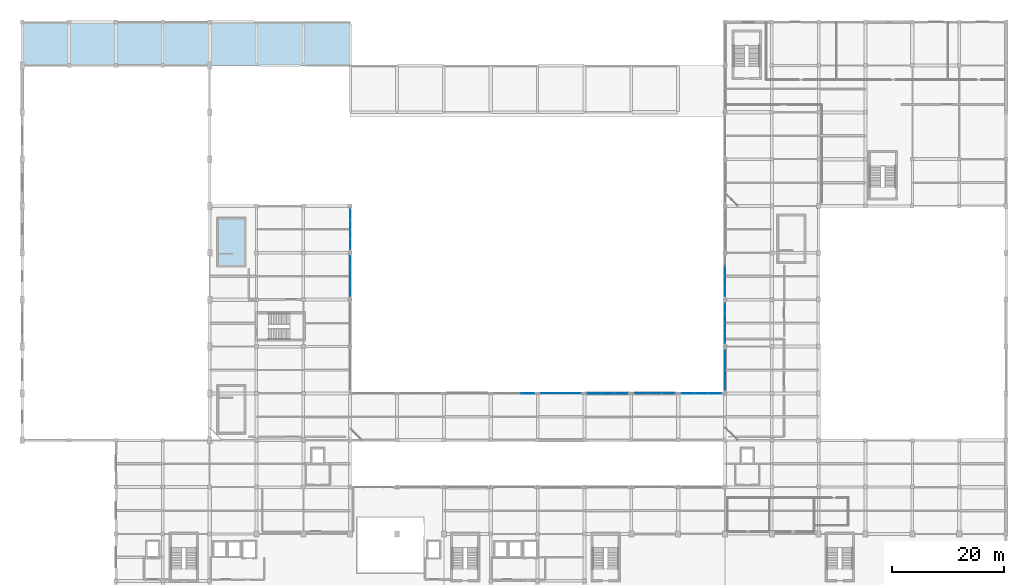
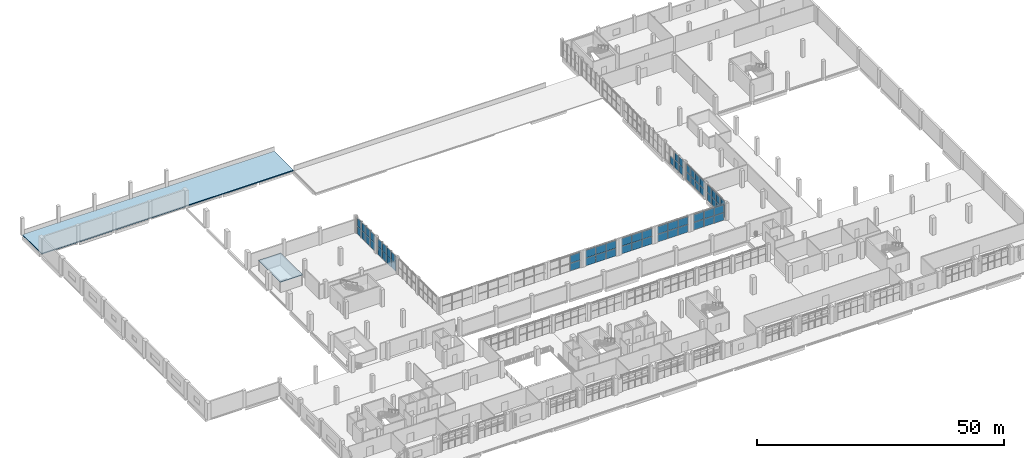
# One storey, part 43 of 59: 63 plates, 2 slabs, 10 elements without a shape of their own.
"""IFC4 building model written with IfcOpenShell, lengths in metres."""

from ifc_helpers import new_model, si_unit, derived_unit, direction, frame, origin, origin_2d, place, context, subcontext, project, spatial, polyline, rectangle, outline, extrude, material, layer, layer_set, type_object, element, aggregate, save


model = new_model("IFC4")

# Units and contexts
model_context = context("Model", 3, precision=1e-05, world=origin(), true_north=direction((0.0, 1.0)))
body_context = subcontext(model_context, "Body", "Model", "MODEL_VIEW")
ifc_project = project(units=[si_unit("LENGTHUNIT", "METRE"), si_unit("AREAUNIT", "SQUARE_METRE"), si_unit("VOLUMEUNIT", "CUBIC_METRE"), si_unit("PLANEANGLEUNIT", "RADIAN"), si_unit("MASSUNIT", "GRAM", prefix="KILO"), derived_unit("THERMALTRANSMITTANCEUNIT", [(si_unit("POWERUNIT", "WATT"), 1), (si_unit("LENGTHUNIT", "METRE"), -2), (si_unit("THERMODYNAMICTEMPERATUREUNIT", "KELVIN"), -1)])], contexts=[model_context])

# Site, building, storey
site_placement = place(None, origin())
site = spatial("IfcSite", under=ifc_project, at=site_placement, CompositionType="ELEMENT")
building_placement = place(site_placement, origin())
building = spatial("IfcBuilding", under=site, at=building_placement, Name="Barrovel Congress Hotel", CompositionType="ELEMENT")
storey_placement = place(building_placement, frame((0.0, 0.0, 9.89990234375)))
storey = spatial("IfcBuildingStorey", under=building, at=storey_placement, Name="L02", CompositionType="ELEMENT", Elevation=9.89990234375)

# Curtain wall, plates
ifc_material_1 = material(Name="Anodised Aluminium Alloy 6063-T6", Category="aluminium")
curtain_wall_type = type_object("IfcCurtainWallType", Name="CW-ST-7200x3600", PredefinedType="USERDEFINED", material=ifc_material_1)
curtain_wall_1_placement = place(storey_placement, origin())
curtain_wall_1 = element("IfcCurtainWall", 1, at=curtain_wall_1_placement, inside=storey, type_object=curtain_wall_type, Name="CW:L02:CW:63.0", ObjectType="STICK CURTAIN WALL", PredefinedType="USERDEFINED")
ifc_material_2 = material(Name="Double Low-E Insulated Glazing", Category="glass")
ifc_layer_1 = layer(ifc_material_2, 0.028076171875)
ifc_layer_set_1 = layer_set([ifc_layer_1], Name="Double Low-E Insulated Glazing")
plate_type_1 = type_object("IfcPlateType", Name="CWP-28", PredefinedType="CURTAIN_PANEL", material=ifc_layer_set_1)
plate_1_placement = place(storey_placement, frame((58.800048828125, 64.5, 0.030029296875), z_axis=(0.0, 0.0, 1.0), x_axis=(0.0, 1.0, 0.0)))
plate_1 = element("IfcPlate", 2, at=plate_1_placement, type_object=plate_type_1, Name="CW:L02:CW:63.0:P0-0", PredefinedType="CURTAIN_PANEL", context=body_context, shape_type="SweptSolid", body=[
    extrude(rectangle(XDim=1.739990234375, YDim=0.028076171875, at=origin_2d()), origin(), (0.0, 0.0, 1.0), 1.89990234375),
])
plate_2_placement = place(storey_placement, frame((58.800048828125, 64.5, 1.990234375), z_axis=(0.0, 0.0, 1.0), x_axis=(0.0, 1.0, 0.0)))
plate_2 = element("IfcPlate", 3, at=plate_2_placement, type_object=plate_type_1, Name="CW:L02:CW:63.0:P0-1", PredefinedType="CURTAIN_PANEL", context=body_context, shape_type="SweptSolid", body=[
    extrude(rectangle(XDim=1.739990234375, YDim=0.028076171875, at=origin_2d()), origin(), (0.0, 0.0, 1.0), 1.89990234375),
])
plate_3_placement = place(storey_placement, frame((58.800048828125, 66.300048828125, 0.030029296875), z_axis=(0.0, 0.0, 1.0), x_axis=(0.0, 1.0, 0.0)))
plate_3 = element("IfcPlate", 4, at=plate_3_placement, type_object=plate_type_1, Name="CW:L02:CW:63.0:P1-0", PredefinedType="CURTAIN_PANEL", context=body_context, shape_type="SweptSolid", body=[
    extrude(rectangle(XDim=1.739990234375, YDim=0.028076171875, at=origin_2d()), origin(), (0.0, 0.0, 1.0), 1.89990234375),
])
plate_4_placement = place(storey_placement, frame((58.800048828125, 66.300048828125, 1.990234375), z_axis=(0.0, 0.0, 1.0), x_axis=(0.0, 1.0, 0.0)))
plate_4 = element("IfcPlate", 5, at=plate_4_placement, type_object=plate_type_1, Name="CW:L02:CW:63.0:P1-1", PredefinedType="CURTAIN_PANEL", context=body_context, shape_type="SweptSolid", body=[
    extrude(rectangle(XDim=1.739990234375, YDim=0.028076171875, at=origin_2d()), origin(), (0.0, 0.0, 1.0), 1.89990234375),
])
plate_5_placement = place(storey_placement, frame((58.800048828125, 68.10009765625, 0.030029296875), z_axis=(0.0, 0.0, 1.0), x_axis=(0.0, 1.0, 0.0)))
plate_5 = element("IfcPlate", 6, at=plate_5_placement, type_object=plate_type_1, Name="CW:L02:CW:63.0:P2-0", PredefinedType="CURTAIN_PANEL", context=body_context, shape_type="SweptSolid", body=[
    extrude(rectangle(XDim=1.739990234375, YDim=0.028076171875, at=origin_2d()), origin(), (0.0, 0.0, 1.0), 1.89990234375),
])
plate_6_placement = place(storey_placement, frame((58.800048828125, 68.10009765625, 1.990234375), z_axis=(0.0, 0.0, 1.0), x_axis=(0.0, 1.0, 0.0)))
plate_6 = element("IfcPlate", 7, at=plate_6_placement, type_object=plate_type_1, Name="CW:L02:CW:63.0:P2-1", PredefinedType="CURTAIN_PANEL", context=body_context, shape_type="SweptSolid", body=[
    extrude(rectangle(XDim=1.739990234375, YDim=0.028076171875, at=origin_2d()), origin(), (0.0, 0.0, 1.0), 1.89990234375),
])
plate_7_placement = place(storey_placement, frame((58.800048828125, 69.89990234375, 0.030029296875), z_axis=(0.0, 0.0, 1.0), x_axis=(0.0, 1.0, 0.0)))
plate_7 = element("IfcPlate", 8, at=plate_7_placement, type_object=plate_type_1, Name="CW:L02:CW:63.0:P3-0", PredefinedType="CURTAIN_PANEL", context=body_context, shape_type="SweptSolid", body=[
    extrude(rectangle(XDim=1.739990234375, YDim=0.028076171875, at=origin_2d()), origin(), (0.0, 0.0, 1.0), 1.89990234375),
])
plate_8_placement = place(storey_placement, frame((58.800048828125, 69.89990234375, 1.990234375), z_axis=(0.0, 0.0, 1.0), x_axis=(0.0, 1.0, 0.0)))
plate_8 = element("IfcPlate", 9, at=plate_8_placement, type_object=plate_type_1, Name="CW:L02:CW:63.0:P3-1", PredefinedType="CURTAIN_PANEL", context=body_context, shape_type="SweptSolid", body=[
    extrude(rectangle(XDim=1.739990234375, YDim=0.028076171875, at=origin_2d()), origin(), (0.0, 0.0, 1.0), 1.89990234375),
])
aggregate(curtain_wall_1, [plate_1, plate_2, plate_3, plate_4, plate_5, plate_6, plate_7, plate_8])

curtain_wall_2_placement = place(storey_placement, origin())
curtain_wall_2 = element("IfcCurtainWall", 10, at=curtain_wall_2_placement, inside=storey, type_object=curtain_wall_type, Name="CW:L02:CE:46.2", ObjectType="STICK CURTAIN WALL", PredefinedType="USERDEFINED")
plate_9_placement = place(storey_placement, frame((126.0, 53.10009765625, 0.030029296875), z_axis=(0.0, 0.0, 1.0), x_axis=(0.0, -1.0, 0.0)))
plate_9 = element("IfcPlate", 11, at=plate_9_placement, type_object=plate_type_1, Name="CW:L02:CE:46.2:P0-0", PredefinedType="CURTAIN_PANEL", context=body_context, shape_type="SweptSolid", body=[
    extrude(rectangle(XDim=1.739990234375, YDim=0.028076171875, at=origin_2d()), origin(), (0.0, 0.0, 1.0), 1.89990234375),
])
plate_10_placement = place(storey_placement, frame((126.0, 53.10009765625, 1.990234375), z_axis=(0.0, 0.0, 1.0), x_axis=(0.0, -1.0, 0.0)))
plate_10 = element("IfcPlate", 12, at=plate_10_placement, type_object=plate_type_1, Name="CW:L02:CE:46.2:P0-1", PredefinedType="CURTAIN_PANEL", context=body_context, shape_type="SweptSolid", body=[
    extrude(rectangle(XDim=1.739990234375, YDim=0.028076171875, at=origin_2d()), origin(), (0.0, 0.0, 1.0), 1.89990234375),
])
plate_11_placement = place(storey_placement, frame((126.0, 51.300048828125, 0.030029296875), z_axis=(0.0, 0.0, 1.0), x_axis=(0.0, -1.0, 0.0)))
plate_11 = element("IfcPlate", 13, at=plate_11_placement, type_object=plate_type_1, Name="CW:L02:CE:46.2:P1-0", PredefinedType="CURTAIN_PANEL", context=body_context, shape_type="SweptSolid", body=[
    extrude(rectangle(XDim=1.739990234375, YDim=0.028076171875, at=origin_2d()), origin(), (0.0, 0.0, 1.0), 1.89990234375),
])
plate_12_placement = place(storey_placement, frame((126.0, 51.300048828125, 1.990234375), z_axis=(0.0, 0.0, 1.0), x_axis=(0.0, -1.0, 0.0)))
plate_12 = element("IfcPlate", 14, at=plate_12_placement, type_object=plate_type_1, Name="CW:L02:CE:46.2:P1-1", PredefinedType="CURTAIN_PANEL", context=body_context, shape_type="SweptSolid", body=[
    extrude(rectangle(XDim=1.739990234375, YDim=0.028076171875, at=origin_2d()), origin(), (0.0, 0.0, 1.0), 1.89990234375),
])
plate_13_placement = place(storey_placement, frame((126.0, 49.5, 0.030029296875), z_axis=(0.0, 0.0, 1.0), x_axis=(0.0, -1.0, 0.0)))
plate_13 = element("IfcPlate", 15, at=plate_13_placement, type_object=plate_type_1, Name="CW:L02:CE:46.2:P2-0", PredefinedType="CURTAIN_PANEL", context=body_context, shape_type="SweptSolid", body=[
    extrude(rectangle(XDim=1.739990234375, YDim=0.028076171875, at=origin_2d()), origin(), (0.0, 0.0, 1.0), 1.89990234375),
])
plate_14_placement = place(storey_placement, frame((126.0, 49.5, 1.990234375), z_axis=(0.0, 0.0, 1.0), x_axis=(0.0, -1.0, 0.0)))
plate_14 = element("IfcPlate", 16, at=plate_14_placement, type_object=plate_type_1, Name="CW:L02:CE:46.2:P2-1", PredefinedType="CURTAIN_PANEL", context=body_context, shape_type="SweptSolid", body=[
    extrude(rectangle(XDim=1.739990234375, YDim=0.028076171875, at=origin_2d()), origin(), (0.0, 0.0, 1.0), 1.89990234375),
])
plate_15_placement = place(storey_placement, frame((126.0, 47.699951171875, 0.030029296875), z_axis=(0.0, 0.0, 1.0), x_axis=(0.0, -1.0, 0.0)))
plate_15 = element("IfcPlate", 17, at=plate_15_placement, type_object=plate_type_1, Name="CW:L02:CE:46.2:P3-0", PredefinedType="CURTAIN_PANEL", context=body_context, shape_type="SweptSolid", body=[
    extrude(rectangle(XDim=1.739990234375, YDim=0.028076171875, at=origin_2d()), origin(), (0.0, 0.0, 1.0), 1.89990234375),
])
plate_16_placement = place(storey_placement, frame((126.0, 47.699951171875, 1.990234375), z_axis=(0.0, 0.0, 1.0), x_axis=(0.0, -1.0, 0.0)))
plate_16 = element("IfcPlate", 18, at=plate_16_placement, type_object=plate_type_1, Name="CW:L02:CE:46.2:P3-1", PredefinedType="CURTAIN_PANEL", context=body_context, shape_type="SweptSolid", body=[
    extrude(rectangle(XDim=1.739990234375, YDim=0.028076171875, at=origin_2d()), origin(), (0.0, 0.0, 1.0), 1.89990234375),
])
aggregate(curtain_wall_2, [plate_9, plate_10, plate_11, plate_12, plate_13, plate_14, plate_15, plate_16])

curtain_wall_3_placement = place(storey_placement, origin())
curtain_wall_3 = element("IfcCurtainWall", 19, at=curtain_wall_3_placement, inside=storey, type_object=curtain_wall_type, Name="CW:L02:CE:63.0", ObjectType="STICK CURTAIN WALL", PredefinedType="USERDEFINED")
plate_17_placement = place(storey_placement, frame((126.0, 68.10009765625, 0.030029296875), z_axis=(0.0, 0.0, 1.0), x_axis=(0.0, -1.0, 0.0)))
plate_17 = element("IfcPlate", 20, at=plate_17_placement, type_object=plate_type_1, Name="CW:L02:CE:63.0:P1-0", PredefinedType="CURTAIN_PANEL", context=body_context, shape_type="SweptSolid", body=[
    extrude(rectangle(XDim=1.739990234375, YDim=0.028076171875, at=origin_2d()), origin(), (0.0, 0.0, 1.0), 1.89990234375),
])
plate_18_placement = place(storey_placement, frame((126.0, 66.300048828125, 0.030029296875), z_axis=(0.0, 0.0, 1.0), x_axis=(0.0, -1.0, 0.0)))
plate_18 = element("IfcPlate", 21, at=plate_18_placement, type_object=plate_type_1, Name="CW:L02:CE:63.0:P2-0", PredefinedType="CURTAIN_PANEL", context=body_context, shape_type="SweptSolid", body=[
    extrude(rectangle(XDim=1.739990234375, YDim=0.028076171875, at=origin_2d()), origin(), (0.0, 0.0, 1.0), 1.89990234375),
])
plate_19_placement = place(storey_placement, frame((126.0, 66.300048828125, 1.990234375), z_axis=(0.0, 0.0, 1.0), x_axis=(0.0, -1.0, 0.0)))
plate_19 = element("IfcPlate", 22, at=plate_19_placement, type_object=plate_type_1, Name="CW:L02:CE:63.0:P2-1", PredefinedType="CURTAIN_PANEL", context=body_context, shape_type="SweptSolid", body=[
    extrude(rectangle(XDim=1.739990234375, YDim=0.028076171875, at=origin_2d()), origin(), (0.0, 0.0, 1.0), 1.89990234375),
])
plate_20_placement = place(storey_placement, frame((126.0, 64.5, 0.030029296875), z_axis=(0.0, 0.0, 1.0), x_axis=(0.0, -1.0, 0.0)))
plate_20 = element("IfcPlate", 23, at=plate_20_placement, type_object=plate_type_1, Name="CW:L02:CE:63.0:P3-0", PredefinedType="CURTAIN_PANEL", context=body_context, shape_type="SweptSolid", body=[
    extrude(rectangle(XDim=1.739990234375, YDim=0.028076171875, at=origin_2d()), origin(), (0.0, 0.0, 1.0), 1.89990234375),
])
plate_21_placement = place(storey_placement, frame((126.0, 64.5, 1.990234375), z_axis=(0.0, 0.0, 1.0), x_axis=(0.0, -1.0, 0.0)))
plate_21 = element("IfcPlate", 24, at=plate_21_placement, type_object=plate_type_1, Name="CW:L02:CE:63.0:P3-1", PredefinedType="CURTAIN_PANEL", context=body_context, shape_type="SweptSolid", body=[
    extrude(rectangle(XDim=1.739990234375, YDim=0.028076171875, at=origin_2d()), origin(), (0.0, 0.0, 1.0), 1.89990234375),
])
aggregate(curtain_wall_3, [plate_17, plate_18, plate_19, plate_20, plate_21])

curtain_wall_4_placement = place(storey_placement, origin())
curtain_wall_4 = element("IfcCurtainWall", 25, at=curtain_wall_4_placement, inside=storey, type_object=curtain_wall_type, Name="CW:L02:CL:11", ObjectType="STICK CURTAIN WALL", PredefinedType="USERDEFINED")
plate_22_placement = place(storey_placement, frame((99.0, 46.199951171875, 0.030029296875), z_axis=(0.0, 0.0, 1.0), x_axis=(-1.0, 0.0, 0.0)))
plate_22 = element("IfcPlate", 26, at=plate_22_placement, type_object=plate_type_1, Name="CW:L02:CL:11:P0-0", PredefinedType="CURTAIN_PANEL", context=body_context, shape_type="SweptSolid", body=[
    extrude(rectangle(XDim=2.340087890625, YDim=0.028076171875, at=origin_2d()), origin(), (0.0, 0.0, 1.0), 1.89990234375),
])
plate_23_placement = place(storey_placement, frame((99.0, 46.199951171875, 1.990234375), z_axis=(0.0, 0.0, 1.0), x_axis=(-1.0, 0.0, 0.0)))
plate_23 = element("IfcPlate", 27, at=plate_23_placement, type_object=plate_type_1, Name="CW:L02:CL:11:P0-1", PredefinedType="CURTAIN_PANEL", context=body_context, shape_type="SweptSolid", body=[
    extrude(rectangle(XDim=2.340087890625, YDim=0.028076171875, at=origin_2d()), origin(), (0.0, 0.0, 1.0), 1.89990234375),
])
plate_24_placement = place(storey_placement, frame((96.60009765625, 46.199951171875, 0.030029296875), z_axis=(0.0, 0.0, 1.0), x_axis=(-1.0, 0.0, 0.0)))
plate_24 = element("IfcPlate", 28, at=plate_24_placement, type_object=plate_type_1, Name="CW:L02:CL:11:P1-0", PredefinedType="CURTAIN_PANEL", context=body_context, shape_type="SweptSolid", body=[
    extrude(rectangle(XDim=2.340087890625, YDim=0.028076171875, at=origin_2d()), origin(), (0.0, 0.0, 1.0), 1.89990234375),
])
plate_25_placement = place(storey_placement, frame((96.60009765625, 46.199951171875, 1.990234375), z_axis=(0.0, 0.0, 1.0), x_axis=(-1.0, 0.0, 0.0)))
plate_25 = element("IfcPlate", 29, at=plate_25_placement, type_object=plate_type_1, Name="CW:L02:CL:11:P1-1", PredefinedType="CURTAIN_PANEL", context=body_context, shape_type="SweptSolid", body=[
    extrude(rectangle(XDim=2.340087890625, YDim=0.028076171875, at=origin_2d()), origin(), (0.0, 0.0, 1.0), 1.89990234375),
])
plate_26_placement = place(storey_placement, frame((94.199951171875, 46.199951171875, 0.030029296875), z_axis=(0.0, 0.0, 1.0), x_axis=(-1.0, 0.0, 0.0)))
plate_26 = element("IfcPlate", 30, at=plate_26_placement, type_object=plate_type_1, Name="CW:L02:CL:11:P2-0", PredefinedType="CURTAIN_PANEL", context=body_context, shape_type="SweptSolid", body=[
    extrude(rectangle(XDim=2.340087890625, YDim=0.028076171875, at=origin_2d()), origin(), (0.0, 0.0, 1.0), 1.89990234375),
])
plate_27_placement = place(storey_placement, frame((94.199951171875, 46.199951171875, 1.990234375), z_axis=(0.0, 0.0, 1.0), x_axis=(-1.0, 0.0, 0.0)))
plate_27 = element("IfcPlate", 31, at=plate_27_placement, type_object=plate_type_1, Name="CW:L02:CL:11:P2-1", PredefinedType="CURTAIN_PANEL", context=body_context, shape_type="SweptSolid", body=[
    extrude(rectangle(XDim=2.340087890625, YDim=0.028076171875, at=origin_2d()), origin(), (0.0, 0.0, 1.0), 1.89990234375),
])
aggregate(curtain_wall_4, [plate_22, plate_23, plate_24, plate_25, plate_26, plate_27])

curtain_wall_5_placement = place(storey_placement, origin())
curtain_wall_5 = element("IfcCurtainWall", 32, at=curtain_wall_5_placement, inside=storey, type_object=curtain_wall_type, Name="CW:L02:CL:13", ObjectType="STICK CURTAIN WALL", PredefinedType="USERDEFINED")
plate_28_placement = place(storey_placement, frame((115.800048828125, 46.199951171875, 0.030029296875), z_axis=(0.0, 0.0, 1.0), x_axis=(-1.0, 0.0, 0.0)))
plate_28 = element("IfcPlate", 33, at=plate_28_placement, type_object=plate_type_1, Name="CW:L02:CL:13:P0-0", PredefinedType="CURTAIN_PANEL", context=body_context, shape_type="SweptSolid", body=[
    extrude(rectangle(XDim=2.340087890625, YDim=0.028076171875, at=origin_2d()), origin(), (0.0, 0.0, 1.0), 1.89990234375),
])
plate_29_placement = place(storey_placement, frame((115.800048828125, 46.199951171875, 1.990234375), z_axis=(0.0, 0.0, 1.0), x_axis=(-1.0, 0.0, 0.0)))
plate_29 = element("IfcPlate", 34, at=plate_29_placement, type_object=plate_type_1, Name="CW:L02:CL:13:P0-1", PredefinedType="CURTAIN_PANEL", context=body_context, shape_type="SweptSolid", body=[
    extrude(rectangle(XDim=2.340087890625, YDim=0.028076171875, at=origin_2d()), origin(), (0.0, 0.0, 1.0), 1.89990234375),
])
plate_30_placement = place(storey_placement, frame((113.39990234375, 46.199951171875, 0.030029296875), z_axis=(0.0, 0.0, 1.0), x_axis=(-1.0, 0.0, 0.0)))
plate_30 = element("IfcPlate", 35, at=plate_30_placement, type_object=plate_type_1, Name="CW:L02:CL:13:P1-0", PredefinedType="CURTAIN_PANEL", context=body_context, shape_type="SweptSolid", body=[
    extrude(rectangle(XDim=2.340087890625, YDim=0.028076171875, at=origin_2d()), origin(), (0.0, 0.0, 1.0), 1.89990234375),
])
plate_31_placement = place(storey_placement, frame((113.39990234375, 46.199951171875, 1.990234375), z_axis=(0.0, 0.0, 1.0), x_axis=(-1.0, 0.0, 0.0)))
plate_31 = element("IfcPlate", 36, at=plate_31_placement, type_object=plate_type_1, Name="CW:L02:CL:13:P1-1", PredefinedType="CURTAIN_PANEL", context=body_context, shape_type="SweptSolid", body=[
    extrude(rectangle(XDim=2.340087890625, YDim=0.028076171875, at=origin_2d()), origin(), (0.0, 0.0, 1.0), 1.89990234375),
])
plate_32_placement = place(storey_placement, frame((111.0, 46.199951171875, 0.030029296875), z_axis=(0.0, 0.0, 1.0), x_axis=(-1.0, 0.0, 0.0)))
plate_32 = element("IfcPlate", 37, at=plate_32_placement, type_object=plate_type_1, Name="CW:L02:CL:13:P2-0", PredefinedType="CURTAIN_PANEL", context=body_context, shape_type="SweptSolid", body=[
    extrude(rectangle(XDim=2.340087890625, YDim=0.028076171875, at=origin_2d()), origin(), (0.0, 0.0, 1.0), 1.89990234375),
])
plate_33_placement = place(storey_placement, frame((111.0, 46.199951171875, 1.990234375), z_axis=(0.0, 0.0, 1.0), x_axis=(-1.0, 0.0, 0.0)))
plate_33 = element("IfcPlate", 38, at=plate_33_placement, type_object=plate_type_1, Name="CW:L02:CL:13:P2-1", PredefinedType="CURTAIN_PANEL", context=body_context, shape_type="SweptSolid", body=[
    extrude(rectangle(XDim=2.340087890625, YDim=0.028076171875, at=origin_2d()), origin(), (0.0, 0.0, 1.0), 1.89990234375),
])
aggregate(curtain_wall_5, [plate_28, plate_29, plate_30, plate_31, plate_32, plate_33])

curtain_wall_6_placement = place(storey_placement, origin())
curtain_wall_6 = element("IfcCurtainWall", 39, at=curtain_wall_6_placement, inside=storey, type_object=curtain_wall_type, Name="CW:L02:CW:71.4", ObjectType="STICK CURTAIN WALL", PredefinedType="USERDEFINED")
ifc_layer_2 = layer(ifc_material_2, 0.031982421875)
ifc_layer_set_2 = layer_set([ifc_layer_2], Name="Double Low-E Insulated Glazing")
plate_type_2 = type_object("IfcPlateType", Name="CWP-32", PredefinedType="CURTAIN_PANEL", material=ifc_layer_set_2)
plate_34_placement = place(storey_placement, frame((58.800048828125, 72.89990234375, 0.030029296875), z_axis=(0.0, 0.0, 1.0), x_axis=(0.0, 1.0, 0.0)))
plate_34 = element("IfcPlate", 40, at=plate_34_placement, type_object=plate_type_2, Name="CW:L02:CW:71.4:P0-0", PredefinedType="CURTAIN_PANEL", context=body_context, shape_type="SweptSolid", body=[
    extrude(rectangle(XDim=1.739990234375, YDim=0.031982421875, at=origin_2d()), origin(), (0.0, 0.0, 1.0), 1.89990234375),
])
plate_35_placement = place(storey_placement, frame((58.800048828125, 72.89990234375, 1.990234375), z_axis=(0.0, 0.0, 1.0), x_axis=(0.0, 1.0, 0.0)))
plate_35 = element("IfcPlate", 41, at=plate_35_placement, type_object=plate_type_2, Name="CW:L02:CW:71.4:P0-1", PredefinedType="CURTAIN_PANEL", context=body_context, shape_type="SweptSolid", body=[
    extrude(rectangle(XDim=1.739990234375, YDim=0.031982421875, at=origin_2d()), origin(), (0.0, 0.0, 1.0), 1.89990234375),
])
plate_36_placement = place(storey_placement, frame((58.800048828125, 74.699951171875, 0.030029296875), z_axis=(0.0, 0.0, 1.0), x_axis=(0.0, 1.0, 0.0)))
plate_36 = element("IfcPlate", 42, at=plate_36_placement, type_object=plate_type_2, Name="CW:L02:CW:71.4:P1-0", PredefinedType="CURTAIN_PANEL", context=body_context, shape_type="SweptSolid", body=[
    extrude(rectangle(XDim=1.739990234375, YDim=0.031982421875, at=origin_2d()), origin(), (0.0, 0.0, 1.0), 1.89990234375),
])
plate_37_placement = place(storey_placement, frame((58.800048828125, 74.699951171875, 1.990234375), z_axis=(0.0, 0.0, 1.0), x_axis=(0.0, 1.0, 0.0)))
plate_37 = element("IfcPlate", 43, at=plate_37_placement, type_object=plate_type_2, Name="CW:L02:CW:71.4:P1-1", PredefinedType="CURTAIN_PANEL", context=body_context, shape_type="SweptSolid", body=[
    extrude(rectangle(XDim=1.739990234375, YDim=0.031982421875, at=origin_2d()), origin(), (0.0, 0.0, 1.0), 1.89990234375),
])
plate_38_placement = place(storey_placement, frame((58.800048828125, 76.5, 0.030029296875), z_axis=(0.0, 0.0, 1.0), x_axis=(0.0, 1.0, 0.0)))
plate_38 = element("IfcPlate", 44, at=plate_38_placement, type_object=plate_type_2, Name="CW:L02:CW:71.4:P2-0", PredefinedType="CURTAIN_PANEL", context=body_context, shape_type="SweptSolid", body=[
    extrude(rectangle(XDim=1.739990234375, YDim=0.031982421875, at=origin_2d()), origin(), (0.0, 0.0, 1.0), 1.89990234375),
])
plate_39_placement = place(storey_placement, frame((58.800048828125, 76.5, 1.990234375), z_axis=(0.0, 0.0, 1.0), x_axis=(0.0, 1.0, 0.0)))
plate_39 = element("IfcPlate", 45, at=plate_39_placement, type_object=plate_type_2, Name="CW:L02:CW:71.4:P2-1", PredefinedType="CURTAIN_PANEL", context=body_context, shape_type="SweptSolid", body=[
    extrude(rectangle(XDim=1.739990234375, YDim=0.031982421875, at=origin_2d()), origin(), (0.0, 0.0, 1.0), 1.89990234375),
])
plate_40_placement = place(storey_placement, frame((58.800048828125, 78.300048828125, 0.030029296875), z_axis=(0.0, 0.0, 1.0), x_axis=(0.0, 1.0, 0.0)))
plate_40 = element("IfcPlate", 46, at=plate_40_placement, type_object=plate_type_2, Name="CW:L02:CW:71.4:P3-0", PredefinedType="CURTAIN_PANEL", context=body_context, shape_type="SweptSolid", body=[
    extrude(rectangle(XDim=1.739990234375, YDim=0.031982421875, at=origin_2d()), origin(), (0.0, 0.0, 1.0), 1.89990234375),
])
plate_41_placement = place(storey_placement, frame((58.800048828125, 78.300048828125, 1.990234375), z_axis=(0.0, 0.0, 1.0), x_axis=(0.0, 1.0, 0.0)))
plate_41 = element("IfcPlate", 47, at=plate_41_placement, type_object=plate_type_2, Name="CW:L02:CW:71.4:P3-1", PredefinedType="CURTAIN_PANEL", context=body_context, shape_type="SweptSolid", body=[
    extrude(rectangle(XDim=1.739990234375, YDim=0.031982421875, at=origin_2d()), origin(), (0.0, 0.0, 1.0), 1.89990234375),
])
aggregate(curtain_wall_6, [plate_34, plate_35, plate_36, plate_37, plate_38, plate_39, plate_40, plate_41])

curtain_wall_7_placement = place(storey_placement, origin())
curtain_wall_7 = element("IfcCurtainWall", 48, at=curtain_wall_7_placement, inside=storey, type_object=curtain_wall_type, Name="CW:L02:CE:54.6", ObjectType="STICK CURTAIN WALL", PredefinedType="USERDEFINED")
plate_42_placement = place(storey_placement, frame((126.0, 61.5, 0.030029296875), z_axis=(0.0, 0.0, 1.0), x_axis=(0.0, -1.0, 0.0)))
plate_42 = element("IfcPlate", 49, at=plate_42_placement, type_object=plate_type_2, Name="CW:L02:CE:54.6:P0-0", PredefinedType="CURTAIN_PANEL", context=body_context, shape_type="SweptSolid", body=[
    extrude(rectangle(XDim=1.739990234375, YDim=0.031982421875, at=origin_2d()), origin(), (0.0, 0.0, 1.0), 1.89990234375),
])
plate_43_placement = place(storey_placement, frame((126.0, 61.5, 1.990234375), z_axis=(0.0, 0.0, 1.0), x_axis=(0.0, -1.0, 0.0)))
plate_43 = element("IfcPlate", 50, at=plate_43_placement, type_object=plate_type_2, Name="CW:L02:CE:54.6:P0-1", PredefinedType="CURTAIN_PANEL", context=body_context, shape_type="SweptSolid", body=[
    extrude(rectangle(XDim=1.739990234375, YDim=0.031982421875, at=origin_2d()), origin(), (0.0, 0.0, 1.0), 1.89990234375),
])
plate_44_placement = place(storey_placement, frame((126.0, 59.699951171875, 0.030029296875), z_axis=(0.0, 0.0, 1.0), x_axis=(0.0, -1.0, 0.0)))
plate_44 = element("IfcPlate", 51, at=plate_44_placement, type_object=plate_type_2, Name="CW:L02:CE:54.6:P1-0", PredefinedType="CURTAIN_PANEL", context=body_context, shape_type="SweptSolid", body=[
    extrude(rectangle(XDim=1.739990234375, YDim=0.031982421875, at=origin_2d()), origin(), (0.0, 0.0, 1.0), 1.89990234375),
])
plate_45_placement = place(storey_placement, frame((126.0, 59.699951171875, 1.990234375), z_axis=(0.0, 0.0, 1.0), x_axis=(0.0, -1.0, 0.0)))
plate_45 = element("IfcPlate", 52, at=plate_45_placement, type_object=plate_type_2, Name="CW:L02:CE:54.6:P1-1", PredefinedType="CURTAIN_PANEL", context=body_context, shape_type="SweptSolid", body=[
    extrude(rectangle(XDim=1.739990234375, YDim=0.031982421875, at=origin_2d()), origin(), (0.0, 0.0, 1.0), 1.89990234375),
])
plate_46_placement = place(storey_placement, frame((126.0, 57.89990234375, 0.030029296875), z_axis=(0.0, 0.0, 1.0), x_axis=(0.0, -1.0, 0.0)))
plate_46 = element("IfcPlate", 53, at=plate_46_placement, type_object=plate_type_2, Name="CW:L02:CE:54.6:P2-0", PredefinedType="CURTAIN_PANEL", context=body_context, shape_type="SweptSolid", body=[
    extrude(rectangle(XDim=1.739990234375, YDim=0.031982421875, at=origin_2d()), origin(), (0.0, 0.0, 1.0), 1.89990234375),
])
plate_47_placement = place(storey_placement, frame((126.0, 57.89990234375, 1.990234375), z_axis=(0.0, 0.0, 1.0), x_axis=(0.0, -1.0, 0.0)))
plate_47 = element("IfcPlate", 54, at=plate_47_placement, type_object=plate_type_2, Name="CW:L02:CE:54.6:P2-1", PredefinedType="CURTAIN_PANEL", context=body_context, shape_type="SweptSolid", body=[
    extrude(rectangle(XDim=1.739990234375, YDim=0.031982421875, at=origin_2d()), origin(), (0.0, 0.0, 1.0), 1.89990234375),
])
plate_48_placement = place(storey_placement, frame((126.0, 56.10009765625, 0.030029296875), z_axis=(0.0, 0.0, 1.0), x_axis=(0.0, -1.0, 0.0)))
plate_48 = element("IfcPlate", 55, at=plate_48_placement, type_object=plate_type_2, Name="CW:L02:CE:54.6:P3-0", PredefinedType="CURTAIN_PANEL", context=body_context, shape_type="SweptSolid", body=[
    extrude(rectangle(XDim=1.739990234375, YDim=0.031982421875, at=origin_2d()), origin(), (0.0, 0.0, 1.0), 1.89990234375),
])
plate_49_placement = place(storey_placement, frame((126.0, 56.10009765625, 1.990234375), z_axis=(0.0, 0.0, 1.0), x_axis=(0.0, -1.0, 0.0)))
plate_49 = element("IfcPlate", 56, at=plate_49_placement, type_object=plate_type_2, Name="CW:L02:CE:54.6:P3-1", PredefinedType="CURTAIN_PANEL", context=body_context, shape_type="SweptSolid", body=[
    extrude(rectangle(XDim=1.739990234375, YDim=0.031982421875, at=origin_2d()), origin(), (0.0, 0.0, 1.0), 1.89990234375),
])
aggregate(curtain_wall_7, [plate_42, plate_43, plate_44, plate_45, plate_46, plate_47, plate_48, plate_49])

curtain_wall_8_placement = place(storey_placement, origin())
curtain_wall_8 = element("IfcCurtainWall", 57, at=curtain_wall_8_placement, inside=storey, type_object=curtain_wall_type, Name="CW:L02:CL:10", ObjectType="STICK CURTAIN WALL", PredefinedType="USERDEFINED")
plate_50_placement = place(storey_placement, frame((90.60009765625, 46.199951171875, 0.030029296875), z_axis=(0.0, 0.0, 1.0), x_axis=(-1.0, 0.0, 0.0)))
plate_50 = element("IfcPlate", 58, at=plate_50_placement, type_object=plate_type_2, Name="CW:L02:CL:10:P0-0", PredefinedType="CURTAIN_PANEL", context=body_context, shape_type="SweptSolid", body=[
    extrude(rectangle(XDim=2.340087890625, YDim=0.031982421875, at=origin_2d()), origin(), (0.0, 0.0, 1.0), 1.89990234375),
])
plate_51_placement = place(storey_placement, frame((90.60009765625, 46.199951171875, 1.990234375), z_axis=(0.0, 0.0, 1.0), x_axis=(-1.0, 0.0, 0.0)))
plate_51 = element("IfcPlate", 59, at=plate_51_placement, type_object=plate_type_2, Name="CW:L02:CL:10:P0-1", PredefinedType="CURTAIN_PANEL", context=body_context, shape_type="SweptSolid", body=[
    extrude(rectangle(XDim=2.340087890625, YDim=0.031982421875, at=origin_2d()), origin(), (0.0, 0.0, 1.0), 1.89990234375),
])
aggregate(curtain_wall_8, [plate_50, plate_51])

curtain_wall_9_placement = place(storey_placement, origin())
curtain_wall_9 = element("IfcCurtainWall", 60, at=curtain_wall_9_placement, inside=storey, type_object=curtain_wall_type, Name="CW:L02:CL:12", ObjectType="STICK CURTAIN WALL", PredefinedType="USERDEFINED")
plate_52_placement = place(storey_placement, frame((107.39990234375, 46.199951171875, 0.030029296875), z_axis=(0.0, 0.0, 1.0), x_axis=(-1.0, 0.0, 0.0)))
plate_52 = element("IfcPlate", 61, at=plate_52_placement, type_object=plate_type_2, Name="CW:L02:CL:12:P0-0", PredefinedType="CURTAIN_PANEL", context=body_context, shape_type="SweptSolid", body=[
    extrude(rectangle(XDim=2.340087890625, YDim=0.031982421875, at=origin_2d()), origin(), (0.0, 0.0, 1.0), 1.89990234375),
])
plate_53_placement = place(storey_placement, frame((107.39990234375, 46.199951171875, 1.990234375), z_axis=(0.0, 0.0, 1.0), x_axis=(-1.0, 0.0, 0.0)))
plate_53 = element("IfcPlate", 62, at=plate_53_placement, type_object=plate_type_2, Name="CW:L02:CL:12:P0-1", PredefinedType="CURTAIN_PANEL", context=body_context, shape_type="SweptSolid", body=[
    extrude(rectangle(XDim=2.340087890625, YDim=0.031982421875, at=origin_2d()), origin(), (0.0, 0.0, 1.0), 1.89990234375),
])
plate_54_placement = place(storey_placement, frame((105.0, 46.199951171875, 0.030029296875), z_axis=(0.0, 0.0, 1.0), x_axis=(-1.0, 0.0, 0.0)))
plate_54 = element("IfcPlate", 63, at=plate_54_placement, type_object=plate_type_2, Name="CW:L02:CL:12:P1-0", PredefinedType="CURTAIN_PANEL", context=body_context, shape_type="SweptSolid", body=[
    extrude(rectangle(XDim=2.340087890625, YDim=0.031982421875, at=origin_2d()), origin(), (0.0, 0.0, 1.0), 1.89990234375),
])
plate_55_placement = place(storey_placement, frame((105.0, 46.199951171875, 1.990234375), z_axis=(0.0, 0.0, 1.0), x_axis=(-1.0, 0.0, 0.0)))
plate_55 = element("IfcPlate", 64, at=plate_55_placement, type_object=plate_type_2, Name="CW:L02:CL:12:P1-1", PredefinedType="CURTAIN_PANEL", context=body_context, shape_type="SweptSolid", body=[
    extrude(rectangle(XDim=2.340087890625, YDim=0.031982421875, at=origin_2d()), origin(), (0.0, 0.0, 1.0), 1.89990234375),
])
plate_56_placement = place(storey_placement, frame((102.60009765625, 46.199951171875, 0.030029296875), z_axis=(0.0, 0.0, 1.0), x_axis=(-1.0, 0.0, 0.0)))
plate_56 = element("IfcPlate", 65, at=plate_56_placement, type_object=plate_type_2, Name="CW:L02:CL:12:P2-0", PredefinedType="CURTAIN_PANEL", context=body_context, shape_type="SweptSolid", body=[
    extrude(rectangle(XDim=2.340087890625, YDim=0.031982421875, at=origin_2d()), origin(), (0.0, 0.0, 1.0), 1.89990234375),
])
plate_57_placement = place(storey_placement, frame((102.60009765625, 46.199951171875, 1.990234375), z_axis=(0.0, 0.0, 1.0), x_axis=(-1.0, 0.0, 0.0)))
plate_57 = element("IfcPlate", 66, at=plate_57_placement, type_object=plate_type_2, Name="CW:L02:CL:12:P2-1", PredefinedType="CURTAIN_PANEL", context=body_context, shape_type="SweptSolid", body=[
    extrude(rectangle(XDim=2.340087890625, YDim=0.031982421875, at=origin_2d()), origin(), (0.0, 0.0, 1.0), 1.89990234375),
])
aggregate(curtain_wall_9, [plate_52, plate_53, plate_54, plate_55, plate_56, plate_57])

curtain_wall_10_placement = place(storey_placement, origin())
curtain_wall_10 = element("IfcCurtainWall", 67, at=curtain_wall_10_placement, inside=storey, type_object=curtain_wall_type, Name="CW:L02:CL:14", ObjectType="STICK CURTAIN WALL", PredefinedType="USERDEFINED")
plate_58_placement = place(storey_placement, frame((124.199951171875, 46.199951171875, 0.030029296875), z_axis=(0.0, 0.0, 1.0), x_axis=(-1.0, 0.0, 0.0)))
plate_58 = element("IfcPlate", 68, at=plate_58_placement, type_object=plate_type_2, Name="CW:L02:CL:14:P0-0", PredefinedType="CURTAIN_PANEL", context=body_context, shape_type="SweptSolid", body=[
    extrude(rectangle(XDim=2.340087890625, YDim=0.031982421875, at=origin_2d()), origin(), (0.0, 0.0, 1.0), 1.89990234375),
])
plate_59_placement = place(storey_placement, frame((124.199951171875, 46.199951171875, 1.990234375), z_axis=(0.0, 0.0, 1.0), x_axis=(-1.0, 0.0, 0.0)))
plate_59 = element("IfcPlate", 69, at=plate_59_placement, type_object=plate_type_2, Name="CW:L02:CL:14:P0-1", PredefinedType="CURTAIN_PANEL", context=body_context, shape_type="SweptSolid", body=[
    extrude(rectangle(XDim=2.340087890625, YDim=0.031982421875, at=origin_2d()), origin(), (0.0, 0.0, 1.0), 1.89990234375),
])
plate_60_placement = place(storey_placement, frame((121.800048828125, 46.199951171875, 0.030029296875), z_axis=(0.0, 0.0, 1.0), x_axis=(-1.0, 0.0, 0.0)))
plate_60 = element("IfcPlate", 70, at=plate_60_placement, type_object=plate_type_2, Name="CW:L02:CL:14:P1-0", PredefinedType="CURTAIN_PANEL", context=body_context, shape_type="SweptSolid", body=[
    extrude(rectangle(XDim=2.340087890625, YDim=0.031982421875, at=origin_2d()), origin(), (0.0, 0.0, 1.0), 1.89990234375),
])
plate_61_placement = place(storey_placement, frame((121.800048828125, 46.199951171875, 1.990234375), z_axis=(0.0, 0.0, 1.0), x_axis=(-1.0, 0.0, 0.0)))
plate_61 = element("IfcPlate", 71, at=plate_61_placement, type_object=plate_type_2, Name="CW:L02:CL:14:P1-1", PredefinedType="CURTAIN_PANEL", context=body_context, shape_type="SweptSolid", body=[
    extrude(rectangle(XDim=2.340087890625, YDim=0.031982421875, at=origin_2d()), origin(), (0.0, 0.0, 1.0), 1.89990234375),
])
plate_62_placement = place(storey_placement, frame((119.39990234375, 46.199951171875, 0.030029296875), z_axis=(0.0, 0.0, 1.0), x_axis=(-1.0, 0.0, 0.0)))
plate_62 = element("IfcPlate", 72, at=plate_62_placement, type_object=plate_type_2, Name="CW:L02:CL:14:P2-0", PredefinedType="CURTAIN_PANEL", context=body_context, shape_type="SweptSolid", body=[
    extrude(rectangle(XDim=2.340087890625, YDim=0.031982421875, at=origin_2d()), origin(), (0.0, 0.0, 1.0), 1.89990234375),
])
plate_63_placement = place(storey_placement, frame((119.39990234375, 46.199951171875, 1.990234375), z_axis=(0.0, 0.0, 1.0), x_axis=(-1.0, 0.0, 0.0)))
plate_63 = element("IfcPlate", 73, at=plate_63_placement, type_object=plate_type_2, Name="CW:L02:CL:14:P2-1", PredefinedType="CURTAIN_PANEL", context=body_context, shape_type="SweptSolid", body=[
    extrude(rectangle(XDim=2.340087890625, YDim=0.031982421875, at=origin_2d()), origin(), (0.0, 0.0, 1.0), 1.89990234375),
])
aggregate(curtain_wall_10, [plate_58, plate_59, plate_60, plate_61, plate_62, plate_63])

# Slabs
ifc_material_3 = material(Name="Concrete C35", Category="concrete")
ifc_layer_3 = layer(ifc_material_3, 0.139892578125)
ifc_layer_set_3 = layer_set([ifc_layer_3], Name="Concrete C35")
slab_type_1 = type_object("IfcSlabType", Name="SL-R140", PredefinedType="ROOF", material=ifc_layer_set_3)
slab_1_placement = place(storey_placement, frame((0.0, 0.0, 2.510009765625)))
element("IfcSlab", 74, at=slab_1_placement, inside=storey, type_object=slab_type_1, Name="Stair Headhouse Roof XS-07", PredefinedType="ROOF", context=body_context, shape_type="SweptSolid", body=[
    extrude(outline(polyline([(34.89990234375, 68.89990234375), (40.10009765625, 68.89990234375), (40.10009765625, 77.739990234375), (34.89990234375, 77.739990234375), (34.89990234375, 68.89990234375)])), origin(), (0.0, 0.0, 1.0), 0.14013671875),
])
ifc_layer_4 = layer(ifc_material_3, 0.239990234375)
ifc_layer_set_4 = layer_set([ifc_layer_4], Name="Concrete C35")
slab_type_2 = type_object("IfcSlabType", Name="SL-R240", PredefinedType="ROOF", material=ifc_layer_set_4)
slab_2_placement = place(storey_placement, frame((0.0, 0.0, -0.239990234375)))
element("IfcSlab", 75, at=slab_2_placement, inside=storey, type_object=slab_type_2, Name="SLAB:L02:V1-ROOF-DOCK", PredefinedType="ROOF", context=body_context, shape_type="SweptSolid", body=[
    extrude(outline(polyline([(0.0, 105.0), (58.800048828125, 105.0), (58.800048828125, 112.800048828125), (0.0, 112.800048828125), (0.0, 105.0)])), origin(), (0.0, 0.0, 1.0), 0.239990234375),
])

save(model, "model.ifc")
